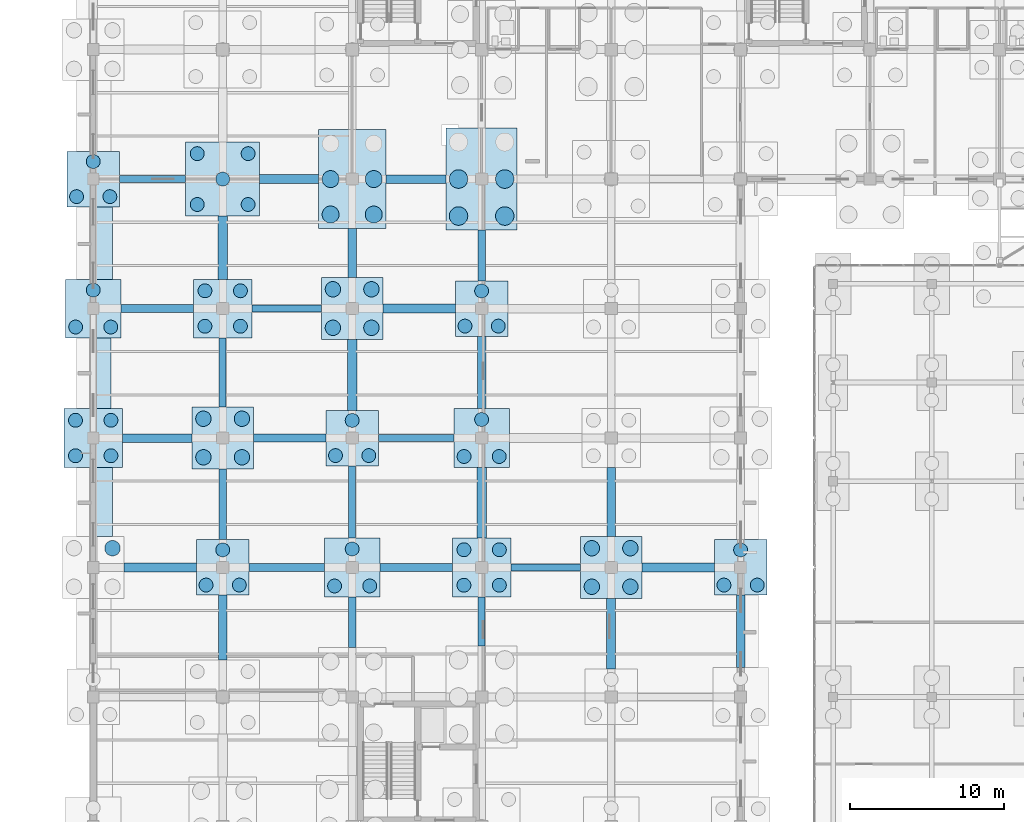
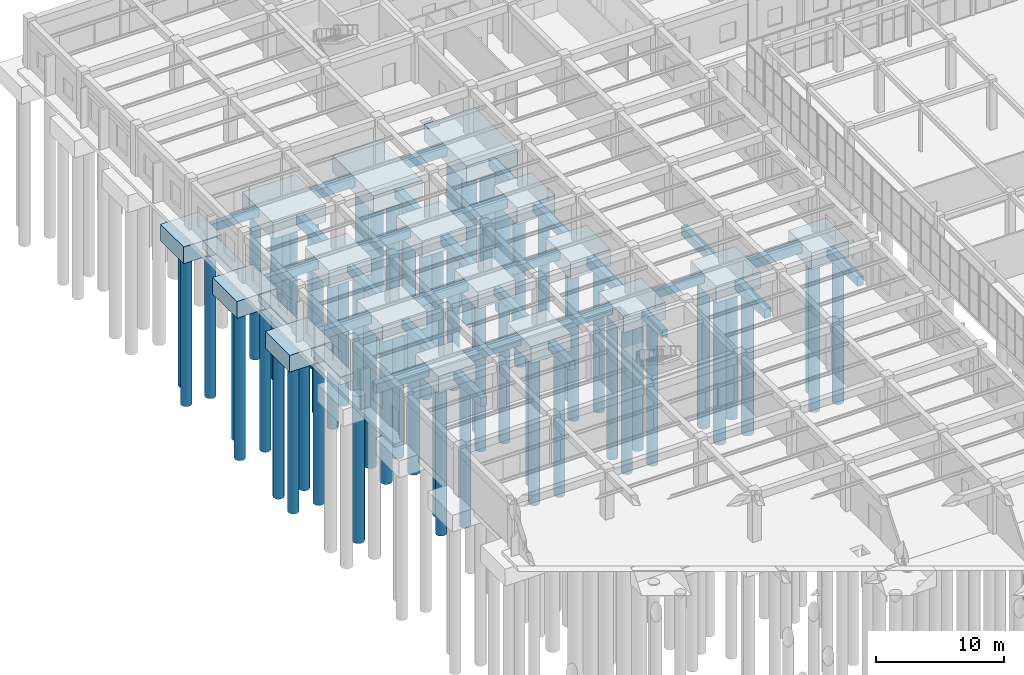
# One storey, part 7 of 192: 62 piles, 49 footings.
"""IFC4 building model written with IfcOpenShell, lengths in metres."""

import ifcopenshell
import ifcopenshell.guid

model = None  # the IFC model being written
_history = None  # IfcOwnerHistory: only IFC2X3 demands one
_inside = {}  # id of a spatial element -> (the spatial element, [elements in it])
_under = {}  # id of a project, library or spatial element -> (it, [spatial elements below it])
_declared = {}  # id of a project -> (the project, [libraries it declares])
_typed = {}  # id of a type object -> (the type object, [elements of that type])
_made_of = {}  # id of a material, layer set ... -> (it, [elements and type objects made of it])


def new_model(schema):
    """Start an empty IFC model of exactly this schema.

    Asked for "IFC4X3", IfcOpenShell would pick the latest addendum, in which some entities
    have other attributes; the version numbers below select the first issue.
    IFC2X3 requires an IfcOwnerHistory on every rooted entity: one is made here for all.
    """
    global model, _history
    if schema == "IFC4X3":
        model = ifcopenshell.file(schema_version=(4, 3, 0, 0))
    else:
        model = ifcopenshell.file(schema=schema)
    _inside.clear()
    _under.clear()
    _declared.clear()
    _typed.clear()
    _made_of.clear()
    _history = None
    if model.schema == "IFC2X3":
        org = make("IfcOrganization", Name="unknown")
        user = make(
            "IfcPersonAndOrganization",
            ThePerson=make("IfcPerson", FamilyName="unknown"),
            TheOrganization=org,
        )
        app = make(
            "IfcApplication",
            ApplicationDeveloper=org,
            Version="unknown",
            ApplicationFullName="unknown",
            ApplicationIdentifier="unknown",
        )
        _history = make(
            "IfcOwnerHistory",
            OwningUser=user,
            OwningApplication=app,
            ChangeAction="ADDED",
            CreationDate=0,
        )
    return model


def make(cls, **values):
    """One entity of the class cls with the attributes given. An attribute that is None is left unset."""
    return model.create_entity(
        cls, **{name: value for name, value in values.items() if value is not None}
    )


def rooted(cls, **values):
    """An entity with a GlobalId (a new one), such as an element, a storey or a relation."""
    return make(cls, GlobalId=ifcopenshell.guid.new(), OwnerHistory=_history, **values)


def si_unit(unit_type, name, prefix=None):
    """IfcSIUnit, for example si_unit("LENGTHUNIT", "METRE", prefix="MILLI")."""
    return make("IfcSIUnit", UnitType=unit_type, Prefix=prefix, Name=name)


def assignment(units):
    """IfcUnitAssignment: the units of a project."""
    return None if units is None else make("IfcUnitAssignment", Units=units)


def point(xyz):
    """IfcCartesianPoint."""
    return None if xyz is None else make("IfcCartesianPoint", Coordinates=xyz)


def direction(xyz):
    """IfcDirection."""
    return None if xyz is None else make("IfcDirection", DirectionRatios=xyz)


def frame(location, z_axis=None, x_axis=None):
    """IfcAxis2Placement3D, a coordinate frame: its origin and axes. An axis left out is left unset."""
    return make(
        "IfcAxis2Placement3D",
        Location=point(location),
        Axis=direction(z_axis),
        RefDirection=direction(x_axis),
    )


def frame_2d(location, x_axis=None):
    """IfcAxis2Placement2D, a coordinate frame in the plane: its origin and x axis."""
    return make(
        "IfcAxis2Placement2D", Location=point(location), RefDirection=direction(x_axis)
    )


def origin():
    """The frame at (0, 0, 0) with its axes left unset."""
    return frame((0.0, 0.0, 0.0))


def origin_2d():
    """The frame at (0, 0) in the plane with its x axis left unset."""
    return frame_2d((0.0, 0.0))


def place(relative_to, where):
    """IfcLocalPlacement: puts the frame where relative to a parent placement (None: the world)."""
    return make(
        "IfcLocalPlacement", PlacementRelTo=relative_to, RelativePlacement=where
    )


def context(
    kind, dimensions, precision=None, world=None, true_north=None, identifier=None
):
    """IfcGeometricRepresentationContext, for example the 3D "Model" context."""
    return make(
        "IfcGeometricRepresentationContext",
        ContextIdentifier=identifier,
        ContextType=kind,
        CoordinateSpaceDimension=dimensions,
        Precision=precision,
        WorldCoordinateSystem=world,
        TrueNorth=true_north,
    )


def subcontext(parent, identifier, kind, view, scale=None):
    """IfcGeometricRepresentationSubContext, for example "Body" below "Model"."""
    return make(
        "IfcGeometricRepresentationSubContext",
        ContextIdentifier=identifier,
        ContextType=kind,
        ParentContext=parent,
        TargetScale=scale,
        TargetView=view,
    )


def project(units=None, contexts=None):
    """IfcProject with its units and contexts."""
    return rooted(
        "IfcProject",
        Name="project",
        RepresentationContexts=contexts,
        UnitsInContext=assignment(units),
    )


def spatial(cls, under=None, at=None, **own):
    """A site, building, storey or space (cls), placed at a placement, below another one or the project."""
    s = rooted(cls, ObjectPlacement=at, **own)
    if under is not None:
        _under.setdefault(under.id(), (under, []))[1].append(s)
    return s


def profile(cls, at=None, kind="AREA", **sizes):
    """A parametric profile (cls). Its sizes go by their IFC names, for example OverallWidth=200.0."""
    return make(cls, ProfileType=kind, Position=at, **sizes)


def rectangle(**sizes):
    """IfcRectangleProfileDef."""
    return profile("IfcRectangleProfileDef", **sizes)


def circle(**sizes):
    """IfcCircleProfileDef."""
    return profile("IfcCircleProfileDef", **sizes)


def extrude(swept, where, along, depth):
    """IfcExtrudedAreaSolid: the profile swept, set in the frame where, extruded along a direction by depth."""
    return make(
        "IfcExtrudedAreaSolid",
        SweptArea=swept,
        Position=where,
        ExtrudedDirection=direction(along),
        Depth=depth,
    )


def shape(context_of_items, identifier, shape_type, items):
    """IfcShapeRepresentation: the items that make up one representation, for example the "Body"."""
    return make(
        "IfcShapeRepresentation",
        ContextOfItems=context_of_items,
        RepresentationIdentifier=identifier,
        RepresentationType=shape_type,
        Items=items,
    )


def material(Name=None, Category=None):
    """IfcMaterial."""
    return make("IfcMaterial", Name=Name, Category=Category)


def layer(
    of_material, thickness, ventilated=None, Name=None, Category=None, Priority=None
):
    """IfcMaterialLayer: one layer of a wall or slab, of a material (None: an air gap)."""
    return make(
        "IfcMaterialLayer",
        Material=of_material,
        LayerThickness=thickness,
        IsVentilated=ventilated,
        Name=Name,
        Category=Category,
        Priority=Priority,
    )


def layer_set(layers, Name=None):
    """IfcMaterialLayerSet."""
    return make("IfcMaterialLayerSet", MaterialLayers=layers, LayerSetName=Name)


def material_profile(
    of_material, cross_section, Name=None, Category=None, Priority=None
):
    """IfcMaterialProfile: a cross section and its material."""
    return make(
        "IfcMaterialProfile",
        Name=Name,
        Material=of_material,
        Profile=cross_section,
        Priority=Priority,
        Category=Category,
    )


def profile_set(profiles, Name=None, composite=None):
    """IfcMaterialProfileSet."""
    return make(
        "IfcMaterialProfileSet",
        Name=Name,
        MaterialProfiles=profiles,
        CompositeProfile=composite,
    )


def made_of(thing, what):
    """Note that an element or type object is made of a material, layer set ...; save() writes the relation."""
    if what is not None:
        _made_of.setdefault(what.id(), (what, []))[1].append(thing)
    return thing


def type_object(cls, material=None, **own):
    """A type object (cls), such as IfcWallType, which elements share."""
    return made_of(rooted(cls, **own), material)


def element(
    cls,
    number,
    at=None,
    inside=None,
    cuts=None,
    type_object=None,
    material=None,
    context=None,
    identifier="Body",
    shape_type=None,
    held_by="IfcProductDefinitionShape",
    body=None,
    shapes=None,
    **own,
):
    """One element of the class cls, such as IfcWall. Its Tag is "e" and its number.

    at: its placement. inside: the storey or other place that contains it. cuts: it is an
    opening in that element (IfcRelVoidsElement). A single representation is given by context,
    identifier, shape_type and body (its items); several are given by shapes. held_by: the class
    of the entity that holds the representations. save() writes the other relations.
    """
    e = rooted(cls, Tag="e%d" % number, ObjectPlacement=at, **own)
    if body is not None:
        shapes = [shape(context, identifier, shape_type, body)]
    if shapes is not None:
        e.Representation = make(held_by, Representations=shapes)
    if inside is not None:
        _inside.setdefault(inside.id(), (inside, []))[1].append(e)
    if cuts is not None:
        rooted(
            "IfcRelVoidsElement", RelatingBuildingElement=cuts, RelatedOpeningElement=e
        )
    if type_object is not None:
        _typed.setdefault(type_object.id(), (type_object, []))[1].append(e)
    return made_of(e, material)


def aggregate(whole, parts):
    """IfcRelAggregates: a whole, such as a stair, and the parts it consists of."""
    return rooted("IfcRelAggregates", RelatingObject=whole, RelatedObjects=parts)


def save(model, path):
    """Write the relations noted so far, then the file.

    IfcRelAggregates (storeys below a building ...), IfcRelContainedInSpatialStructure (elements
    in a storey), IfcRelDefinesByType, IfcRelAssociatesMaterial and IfcRelDeclares: one each for
    every whole, place, type object, material and project.
    """
    for whole, parts in _under.values():
        aggregate(whole, parts)
    for where, things in _inside.values():
        rooted(
            "IfcRelContainedInSpatialStructure",
            RelatedElements=things,
            RelatingStructure=where,
        )
    for kind, things in _typed.values():
        rooted("IfcRelDefinesByType", RelatedObjects=things, RelatingType=kind)
    for what, things in _made_of.values():
        rooted("IfcRelAssociatesMaterial", RelatedObjects=things, RelatingMaterial=what)
    for by, libraries in _declared.values():
        rooted("IfcRelDeclares", RelatingContext=by, RelatedDefinitions=libraries)
    model.write(path)


model = new_model("IFC4")

# Units and contexts
model_context = context("Model", 3, precision=1e-05, world=origin(), true_north=direction((0.0, 1.0)))
body_context = subcontext(model_context, "Body", "Model", "MODEL_VIEW")
ifc_project = project(units=[si_unit("LENGTHUNIT", "METRE"), si_unit("AREAUNIT", "SQUARE_METRE"), si_unit("VOLUMEUNIT", "CUBIC_METRE"), si_unit("PLANEANGLEUNIT", "RADIAN"), si_unit("MASSUNIT", "GRAM", prefix="KILO")], contexts=[model_context])

# Site, building, storey
site_placement = place(None, origin())
site = spatial("IfcSite", under=ifc_project, at=site_placement, CompositionType="ELEMENT")
building_placement = place(site_placement, origin())
building = spatial("IfcBuilding", under=site, at=building_placement, Name="Trelvath General Hospital", CompositionType="ELEMENT")
storey_placement = place(building_placement, origin())
storey = spatial("IfcBuildingStorey", under=building, at=storey_placement, Name="L00", CompositionType="ELEMENT", Elevation=0.0)

# Piles
ifc_material_1 = material(Name="Concrete C35/45", Category="concrete")
ifc_material_profile_1 = material_profile(ifc_material_1, circle(Radius=0.5, at=origin_2d()), Name="PILE1000")
ifc_profile_set_1 = profile_set([ifc_material_profile_1], Name="Concrete C35/45")
pile_type_1 = type_object("IfcPileType", Name="BoredPile D1000", PredefinedType="BORED", material=ifc_profile_set_1)
for number, where, z_axis, x_axis, name in (
    (1, (1.25, 68.449951171875, -1.800048828125), (0.0, 0.0, -1.0), (1.0, 0.0, 0.0), "Bored Pile P-0027"),
    (2, (7.14990234375, 74.35009765625, -1.800048828125), (0.0, 0.0, -1.0), (1.0, 0.0, 0.0), "Bored Pile P-0086"),
    (3, (9.64990234375, 74.35009765625, -1.800048828125), (0.0, 0.0, -1.0), (1.0, 0.0, 0.0), "Bored Pile P-0087"),
    (4, (7.14990234375, 76.85009765625, -1.800048828125), (0.0, 0.0, -1.0), (1.0, 0.0, 0.0), "Bored Pile P-0088"),
    (5, (9.64990234375, 76.85009765625, -1.800048828125), (0.0, 0.0, -1.0), (1.0, 0.0, 0.0), "Bored Pile P-0089"),
    (6, (15.550048828125, 82.75, -1.800048828125), (0.0, 0.0, -1.0), (1.0, 0.0, 0.0), "Bored Pile P-0153"),
    (7, (18.050048828125, 82.75, -1.800048828125), (0.0, 0.0, -1.0), (1.0, 0.0, 0.0), "Bored Pile P-0154"),
    (8, (15.550048828125, 85.25, -1.800048828125), (0.0, 0.0, -1.0), (1.0, 0.0, 0.0), "Bored Pile P-0155"),
    (9, (18.050048828125, 85.25, -1.800048828125), (0.0, 0.0, -1.0), (1.0, 0.0, 0.0), "Bored Pile P-0156"),
    (10, (32.35009765625, 65.949951171875, -1.800048828125), (0.0, 0.0, -1.0), (1.0, 0.0, 0.0), "Bored Pile P-0270"),
    (11, (34.85009765625, 65.949951171875, -1.800048828125), (0.0, 0.0, -1.0), (1.0, 0.0, 0.0), "Bored Pile P-0271"),
    (12, (32.35009765625, 68.449951171875, -1.800048828125), (0.0, 0.0, -1.0), (1.0, 0.0, 0.0), "Bored Pile P-0272"),
    (13, (34.85009765625, 68.449951171875, -1.800048828125), (0.0, 0.0, -1.0), (1.0, 0.0, 0.0), "Bored Pile P-0273"),
):
    element("IfcPile", number, at=place(storey_placement, frame(where, z_axis=z_axis, x_axis=x_axis)), inside=storey, type_object=pile_type_1, Name=name, PredefinedType="BORED", context=body_context, shape_type="SweptSolid", body=[
        extrude(circle(Radius=0.5, at=origin_2d()), origin(), (0.0, 0.0, 1.0), 14.0),
    ])
ifc_material_2 = material(Name="Concrete C35/45", Category="concrete")
ifc_material_profile_2 = material_profile(ifc_material_2, circle(Radius=0.550048828125, at=origin_2d()), Name="PILE1100")
ifc_profile_set_2 = profile_set([ifc_material_profile_2], Name="Concrete C35/45")
pile_type_2 = type_object("IfcPileType", Name="BoredPile D1100", PredefinedType="BORED", material=ifc_profile_set_2)
for number, where, z_axis, x_axis, name in (
    (14, (15.39990234375, 90.10009765625, -1.800048828125), (0.0, 0.0, -1.0), (1.0, 0.0, 0.0), "Bored Pile P-0157"),
    (15, (18.199951171875, 90.10009765625, -1.800048828125), (0.0, 0.0, -1.0), (1.0, 0.0, 0.0), "Bored Pile P-0158"),
    (16, (15.39990234375, 92.39990234375, -1.800048828125), (0.0, 0.0, -1.0), (1.0, 0.0, 0.0), "Bored Pile P-0159"),
    (17, (18.199951171875, 92.39990234375, -1.800048828125), (0.0, 0.0, -1.0), (1.0, 0.0, 0.0), "Bored Pile P-0160"),
):
    element("IfcPile", number, at=place(storey_placement, frame(where, z_axis=z_axis, x_axis=x_axis)), inside=storey, type_object=pile_type_2, Name=name, PredefinedType="BORED", context=body_context, shape_type="SweptSolid", body=[
        extrude(circle(Radius=0.550048828125, at=origin_2d()), origin(), (0.0, 0.0, 1.0), 14.0),
    ])
ifc_material_3 = material(Name="Concrete C35/45", Category="concrete")
ifc_material_profile_3 = material_profile(ifc_material_3, circle(Radius=0.60009765625, at=origin_2d()), Name="PILE1200")
ifc_profile_set_3 = profile_set([ifc_material_profile_3], Name="Concrete C35/45")
pile_type_3 = type_object("IfcPileType", Name="BoredPile D1200", PredefinedType="BORED", material=ifc_profile_set_3)
for number, where, z_axis, x_axis, name in (
    (18, (23.699951171875, 90.0, -1.800048828125), (0.0, 0.0, -1.0), (1.0, 0.0, 0.0), "Bored Pile P-0219"),
    (19, (26.699951171875, 90.0, -1.800048828125), (0.0, 0.0, -1.0), (1.0, 0.0, 0.0), "Bored Pile P-0220"),
    (20, (23.699951171875, 92.39990234375, -1.800048828125), (0.0, 0.0, -1.0), (1.0, 0.0, 0.0), "Bored Pile P-0221"),
    (21, (26.699951171875, 92.39990234375, -1.800048828125), (0.0, 0.0, -1.0), (1.0, 0.0, 0.0), "Bored Pile P-0222"),
):
    element("IfcPile", number, at=place(storey_placement, frame(where, z_axis=z_axis, x_axis=x_axis)), inside=storey, type_object=pile_type_3, Name=name, PredefinedType="BORED", context=body_context, shape_type="SweptSolid", body=[
        extrude(circle(Radius=0.60009765625, at=origin_2d()), origin(), (0.0, 0.0, 1.0), 14.0),
    ])
ifc_material_4 = material(Name="Concrete C35/45", Category="concrete")
ifc_material_profile_4 = material_profile(ifc_material_4, circle(Radius=0.449951171875, at=origin_2d()), Name="PILE900")
ifc_profile_set_4 = profile_set([ifc_material_profile_4], Name="Concrete C35/45")
pile_type_4 = type_object("IfcPileType", Name="BoredPile D900", PredefinedType="BORED", material=ifc_profile_set_4)
for number, where, z_axis, x_axis, name in (
    (22, (-1.14990234375, 74.449951171875, -1.800048828125), (0.0, 0.0, -1.0), (1.0, 0.0, 0.0), "Bored Pile P-0028"),
    (23, (1.14990234375, 74.449951171875, -1.800048828125), (0.0, 0.0, -1.0), (1.0, 0.0, 0.0), "Bored Pile P-0029"),
    (24, (-1.14990234375, 76.75, -1.800048828125), (0.0, 0.0, -1.0), (1.0, 0.0, 0.0), "Bored Pile P-0030"),
    (25, (1.14990234375, 76.75, -1.800048828125), (0.0, 0.0, -1.0), (1.0, 0.0, 0.0), "Bored Pile P-0031"),
    (26, (-1.139892578125, 82.800048828125, -1.800048828125), (0.0, 0.0, -1.0), (1.0, 0.0, 0.0), "Bored Pile P-0032"),
    (27, (1.139892578125, 82.800048828125, -1.800048828125), (0.0, 0.0, -1.0), (1.0, 0.0, 0.0), "Bored Pile P-0033"),
    (28, (0.0, 85.199951171875, -1.800048828125), (0.0, 0.0, -1.0), (1.0, 0.0, 0.0), "Bored Pile P-0034"),
    (29, (-1.080078125, 91.260009765625, -1.800048828125), (0.0, 0.0, -1.0), (1.0, 0.0, 0.0), "Bored Pile P-0035"),
    (30, (1.080078125, 91.260009765625, -1.800048828125), (0.0, 0.0, -1.0), (1.0, 0.0, 0.0), "Bored Pile P-0036"),
    (31, (0.0, 93.5400390625, -1.800048828125), (0.0, 0.0, -1.0), (1.0, 0.0, 0.0), "Bored Pile P-0037"),
    (32, (7.320068359375, 66.06005859375, -1.800048828125), (0.0, 0.0, -1.0), (1.0, 0.0, 0.0), "Bored Pile P-0083"),
    (33, (9.47998046875, 66.06005859375, -1.800048828125), (0.0, 0.0, -1.0), (1.0, 0.0, 0.0), "Bored Pile P-0084"),
    (34, (8.39990234375, 68.340087890625, -1.800048828125), (0.0, 0.0, -1.0), (1.0, 0.0, 0.0), "Bored Pile P-0085"),
    (35, (7.25, 82.85009765625, -1.800048828125), (0.0, 0.0, -1.0), (1.0, 0.0, 0.0), "Bored Pile P-0090"),
    (36, (9.550048828125, 82.85009765625, -1.800048828125), (0.0, 0.0, -1.0), (1.0, 0.0, 0.0), "Bored Pile P-0091"),
    (37, (7.25, 85.14990234375, -1.800048828125), (0.0, 0.0, -1.0), (1.0, 0.0, 0.0), "Bored Pile P-0092"),
    (38, (9.550048828125, 85.14990234375, -1.800048828125), (0.0, 0.0, -1.0), (1.0, 0.0, 0.0), "Bored Pile P-0093"),
    (39, (6.75, 90.75, -1.800048828125), (0.0, 0.0, -1.0), (1.0, 0.0, 0.0), "Bored Pile P-0094"),
    (40, (10.050048828125, 90.75, -1.800048828125), (0.0, 0.0, -1.0), (1.0, 0.0, 0.0), "Bored Pile P-0095"),
    (41, (8.39990234375, 92.39990234375, -1.800048828125), (0.0, 0.0, -1.0), (1.0, 0.0, 0.0), "Bored Pile P-0096"),
    (42, (6.75, 94.050048828125, -1.800048828125), (0.0, 0.0, -1.0), (1.0, 0.0, 0.0), "Bored Pile P-0097"),
    (43, (10.050048828125, 94.050048828125, -1.800048828125), (0.0, 0.0, -1.0), (1.0, 0.0, 0.0), "Bored Pile P-0098"),
    (44, (15.659912109375, 66.0, -1.800048828125), (0.0, 0.0, -1.0), (1.0, 0.0, 0.0), "Bored Pile P-0147"),
    (45, (17.93994140625, 66.0, -1.800048828125), (0.0, 0.0, -1.0), (1.0, 0.0, 0.0), "Bored Pile P-0148"),
    (46, (16.800048828125, 68.39990234375, -1.800048828125), (0.0, 0.0, -1.0), (1.0, 0.0, 0.0), "Bored Pile P-0149"),
    (47, (15.719970703125, 74.4599609375, -1.800048828125), (0.0, 0.0, -1.0), (1.0, 0.0, 0.0), "Bored Pile P-0150"),
    (48, (17.8798828125, 74.4599609375, -1.800048828125), (0.0, 0.0, -1.0), (1.0, 0.0, 0.0), "Bored Pile P-0151"),
    (49, (16.800048828125, 76.739990234375, -1.800048828125), (0.0, 0.0, -1.0), (1.0, 0.0, 0.0), "Bored Pile P-0152"),
    (50, (24.050048828125, 66.050048828125, -1.800048828125), (0.0, 0.0, -1.0), (1.0, 0.0, 0.0), "Bored Pile P-0209"),
    (51, (26.35009765625, 66.050048828125, -1.800048828125), (0.0, 0.0, -1.0), (1.0, 0.0, 0.0), "Bored Pile P-0210"),
    (52, (24.050048828125, 68.35009765625, -1.800048828125), (0.0, 0.0, -1.0), (1.0, 0.0, 0.0), "Bored Pile P-0211"),
    (53, (26.35009765625, 68.35009765625, -1.800048828125), (0.0, 0.0, -1.0), (1.0, 0.0, 0.0), "Bored Pile P-0212"),
    (54, (24.06005859375, 74.39990234375, -1.800048828125), (0.0, 0.0, -1.0), (1.0, 0.0, 0.0), "Bored Pile P-0213"),
    (55, (26.340087890625, 74.39990234375, -1.800048828125), (0.0, 0.0, -1.0), (1.0, 0.0, 0.0), "Bored Pile P-0214"),
    (56, (25.199951171875, 76.800048828125, -1.800048828125), (0.0, 0.0, -1.0), (1.0, 0.0, 0.0), "Bored Pile P-0215"),
    (57, (24.1201171875, 82.860107421875, -1.800048828125), (0.0, 0.0, -1.0), (1.0, 0.0, 0.0), "Bored Pile P-0216"),
    (58, (26.280029296875, 82.860107421875, -1.800048828125), (0.0, 0.0, -1.0), (1.0, 0.0, 0.0), "Bored Pile P-0217"),
    (59, (25.199951171875, 85.139892578125, -1.800048828125), (0.0, 0.0, -1.0), (1.0, 0.0, 0.0), "Bored Pile P-0218"),
    (60, (40.919921875, 66.06005859375, -1.800048828125), (0.0, 0.0, -1.0), (1.0, 0.0, 0.0), "Bored Pile P-0335"),
    (61, (43.080078125, 66.06005859375, -1.800048828125), (0.0, 0.0, -1.0), (1.0, 0.0, 0.0), "Bored Pile P-0336"),
    (62, (42.0, 68.340087890625, -1.800048828125), (0.0, 0.0, -1.0), (1.0, 0.0, 0.0), "Bored Pile P-0337"),
):
    element("IfcPile", number, at=place(storey_placement, frame(where, z_axis=z_axis, x_axis=x_axis)), inside=storey, type_object=pile_type_4, Name=name, PredefinedType="BORED", context=body_context, shape_type="SweptSolid", body=[
        extrude(circle(Radius=0.449951171875, at=origin_2d()), origin(), (0.0, 0.0, 1.0), 14.0),
    ])

# Footings
ifc_material_5 = material(Name="Concrete C35/45", Category="concrete")
ifc_layer_1 = layer(ifc_material_5, 1.60009765625)
ifc_layer_set_1 = layer_set([ifc_layer_1], Name="Concrete C35/45")
footing_type_1 = type_object("IfcFootingType", Name="PileCap 3P 340x360", PredefinedType="PILE_CAP", material=ifc_layer_set_1)
for number, where, z_axis, x_axis, name in (
    (63, (0.0, 92.39990234375, -1.900146484375), (0.0, 0.0, 1.0), (1.0, 0.0, 0.0), "Pile Cap PC-012"),
    (64, (8.39990234375, 67.199951171875, -1.900146484375), (0.0, 0.0, 1.0), (1.0, 0.0, 0.0), "Pile Cap PC-024"),
    (65, (16.800048828125, 75.60009765625, -1.900146484375), (0.0, 0.0, 1.0), (1.0, 0.0, 0.0), "Pile Cap PC-040"),
    (66, (25.199951171875, 84.0, -1.900146484375), (0.0, 0.0, 1.0), (1.0, 0.0, 0.0), "Pile Cap PC-056"),
    (67, (42.0, 67.199951171875, -1.900146484375), (0.0, 0.0, 1.0), (1.0, 0.0, 0.0), "Pile Cap PC-084"),
):
    element("IfcFooting", number, at=place(storey_placement, frame(where, z_axis=z_axis, x_axis=x_axis)), inside=storey, type_object=footing_type_1, Name=name, PredefinedType="PILE_CAP", context=body_context, shape_type="SweptSolid", body=[
        extrude(rectangle(XDim=3.39990234375, YDim=3.60009765625, at=origin_2d()), origin(), (0.0, 0.0, 1.0), 1.60009765625),
    ])
ifc_material_6 = material(Name="Concrete C35/45", Category="concrete")
ifc_layer_2 = layer(ifc_material_6, 1.60009765625)
ifc_layer_set_2 = layer_set([ifc_layer_2], Name="Concrete C35/45")
footing_type_2 = type_object("IfcFootingType", Name="PileCap 3P 360x380", PredefinedType="PILE_CAP", material=ifc_layer_set_2)
for number, where, z_axis, x_axis, name in (
    (68, (0.0, 84.0, -1.900146484375), (0.0, 0.0, 1.0), (1.0, 0.0, 0.0), "Pile Cap PC-011"),
    (69, (16.800048828125, 67.199951171875, -1.900146484375), (0.0, 0.0, 1.0), (1.0, 0.0, 0.0), "Pile Cap PC-039"),
    (70, (25.199951171875, 75.60009765625, -1.900146484375), (0.0, 0.0, 1.0), (1.0, 0.0, 0.0), "Pile Cap PC-055"),
):
    element("IfcFooting", number, at=place(storey_placement, frame(where, z_axis=z_axis, x_axis=x_axis)), inside=storey, type_object=footing_type_2, Name=name, PredefinedType="PILE_CAP", context=body_context, shape_type="SweptSolid", body=[
        extrude(rectangle(XDim=3.60009765625, YDim=3.800048828125, at=origin_2d()), origin(), (0.0, 0.0, 1.0), 1.60009765625),
    ])
ifc_material_7 = material(Name="Concrete C35/45", Category="concrete")
ifc_layer_3 = layer(ifc_material_7, 1.60009765625)
ifc_layer_set_3 = layer_set([ifc_layer_3], Name="Concrete C35/45")
footing_type_3 = type_object("IfcFootingType", Name="PileCap 4P 380x380", PredefinedType="PILE_CAP", material=ifc_layer_set_3)
for number, where, z_axis, x_axis, name in (
    (71, (0.0, 75.60009765625, -1.900146484375), (0.0, 0.0, 1.0), (1.0, 0.0, 0.0), "Pile Cap PC-010"),
    (72, (8.39990234375, 84.0, -1.900146484375), (0.0, 0.0, 1.0), (1.0, 0.0, 0.0), "Pile Cap PC-026"),
    (73, (25.199951171875, 67.199951171875, -1.900146484375), (0.0, 0.0, 1.0), (1.0, 0.0, 0.0), "Pile Cap PC-054"),
):
    element("IfcFooting", number, at=place(storey_placement, frame(where, z_axis=z_axis, x_axis=x_axis)), inside=storey, type_object=footing_type_3, Name=name, PredefinedType="PILE_CAP", context=body_context, shape_type="SweptSolid", body=[
        extrude(rectangle(XDim=3.800048828125, YDim=3.800048828125, at=origin_2d()), origin(), (0.0, 0.0, 1.0), 1.60009765625),
    ])
ifc_material_8 = material(Name="Concrete C35/45", Category="concrete")
ifc_layer_4 = layer(ifc_material_8, 1.60009765625)
ifc_layer_set_4 = layer_set([ifc_layer_4], Name="Concrete C35/45")
footing_type_4 = type_object("IfcFootingType", Name="PileCap 4P 400x400", PredefinedType="PILE_CAP", material=ifc_layer_set_4)
for number, where, z_axis, x_axis, name in (
    (74, (8.39990234375, 75.60009765625, -1.900146484375), (0.0, 0.0, 1.0), (1.0, 0.0, 0.0), "Pile Cap PC-025"),
    (75, (16.800048828125, 84.0, -1.900146484375), (0.0, 0.0, 1.0), (1.0, 0.0, 0.0), "Pile Cap PC-041"),
    (76, (33.60009765625, 67.199951171875, -1.900146484375), (0.0, 0.0, 1.0), (1.0, 0.0, 0.0), "Pile Cap PC-069"),
):
    element("IfcFooting", number, at=place(storey_placement, frame(where, z_axis=z_axis, x_axis=x_axis)), inside=storey, type_object=footing_type_4, Name=name, PredefinedType="PILE_CAP", context=body_context, shape_type="SweptSolid", body=[
        extrude(rectangle(XDim=4.0, YDim=4.0, at=origin_2d()), origin(), (0.0, 0.0, 1.0), 1.60009765625),
    ])
ifc_material_9 = material(Name="Concrete C35/45", Category="concrete")
ifc_layer_5 = layer(ifc_material_9, 1.60009765625)
ifc_layer_set_5 = layer_set([ifc_layer_5], Name="Concrete C35/45")
footing_type_5 = type_object("IfcFootingType", Name="PileCap 5P 480x480", PredefinedType="PILE_CAP", material=ifc_layer_set_5)
footing_1_placement = place(storey_placement, frame((8.39990234375, 92.39990234375, -1.900146484375), z_axis=(0.0, 0.0, 1.0), x_axis=(1.0, 0.0, 0.0)))
element("IfcFooting", 77, at=footing_1_placement, inside=storey, type_object=footing_type_5, Name="Pile Cap PC-027", PredefinedType="PILE_CAP", context=body_context, shape_type="SweptSolid", body=[
    extrude(rectangle(XDim=4.800048828125, YDim=4.800048828125, at=origin_2d()), origin(), (0.0, 0.0, 1.0), 1.60009765625),
])
ifc_material_10 = material(Name="Concrete C35/45", Category="concrete")
ifc_layer_6 = layer(ifc_material_10, 1.60009765625)
ifc_layer_set_6 = layer_set([ifc_layer_6], Name="Concrete C35/45")
footing_type_6 = type_object("IfcFootingType", Name="PileCap 6P 440x640", PredefinedType="PILE_CAP", material=ifc_layer_set_6)
footing_2_placement = place(storey_placement, frame((16.800048828125, 92.39990234375, -1.900146484375), z_axis=(0.0, 0.0, 1.0), x_axis=(1.0, 0.0, 0.0)))
element("IfcFooting", 78, at=footing_2_placement, inside=storey, type_object=footing_type_6, Name="Pile Cap PC-042", PredefinedType="PILE_CAP", context=body_context, shape_type="SweptSolid", body=[
    extrude(rectangle(XDim=4.39990234375, YDim=6.39990234375, at=origin_2d()), origin(), (0.0, 0.0, 1.0), 1.60009765625),
])
ifc_material_11 = material(Name="Concrete C35/45", Category="concrete")
ifc_layer_7 = layer(ifc_material_11, 1.60009765625)
ifc_layer_set_7 = layer_set([ifc_layer_7], Name="Concrete C35/45")
footing_type_7 = type_object("IfcFootingType", Name="PileCap 6P 460x660", PredefinedType="PILE_CAP", material=ifc_layer_set_7)
footing_3_placement = place(storey_placement, frame((25.199951171875, 92.39990234375, -1.900146484375), z_axis=(0.0, 0.0, 1.0), x_axis=(1.0, 0.0, 0.0)))
element("IfcFooting", 79, at=footing_3_placement, inside=storey, type_object=footing_type_7, Name="Pile Cap PC-057", PredefinedType="PILE_CAP", context=body_context, shape_type="SweptSolid", body=[
    extrude(rectangle(XDim=4.60009765625, YDim=6.60009765625, at=origin_2d()), origin(), (0.0, 0.0, 1.0), 1.60009765625),
])
ifc_material_12 = material(Name="Concrete C35/45", Category="concrete")
ifc_layer_8 = layer(ifc_material_12, 0.64990234375)
ifc_layer_set_8 = layer_set([ifc_layer_8], Name="Concrete C35/45")
footing_type_8 = type_object("IfcFootingType", Name="StripFooting 1000x650", PredefinedType="STRIP_FOOTING", material=ifc_layer_set_8)
footing_4_placement = place(storey_placement, frame((0.64990234375, 79.800048828125, -1.010009765625), z_axis=(0.0, 0.0, 1.0), x_axis=(1.0, 0.0, 0.0)))
element("IfcFooting", 80, at=footing_4_placement, inside=storey, type_object=footing_type_8, Name="Radiation Wall Strip Footing SF-06", PredefinedType="STRIP_FOOTING", context=body_context, shape_type="SweptSolid", body=[
    extrude(rectangle(XDim=1.0, YDim=4.60009765625, at=origin_2d()), origin(), (0.0, 0.0, 1.0), 0.64990234375),
])
ifc_material_13 = material(Name="Concrete C35/45", Category="concrete")
ifc_layer_9 = layer(ifc_material_13, 0.699951171875)
ifc_layer_set_9 = layer_set([ifc_layer_9], Name="Concrete C35/45")
footing_type_9 = type_object("IfcFootingType", Name="StripFooting 1200x700", PredefinedType="STRIP_FOOTING", material=ifc_layer_set_9)
footing_5_placement = place(storey_placement, frame((0.64990234375, 71.449951171875, -1.06005859375), z_axis=(0.0, 0.0, 1.0), x_axis=(1.0, 0.0, 0.0)))
element("IfcFooting", 81, at=footing_5_placement, inside=storey, type_object=footing_type_9, Name="Radiation Wall Strip Footing SF-05", PredefinedType="STRIP_FOOTING", context=body_context, shape_type="SweptSolid", body=[
    extrude(rectangle(XDim=1.199951171875, YDim=4.5, at=origin_2d()), origin(), (0.0, 0.0, 1.0), 0.699951171875),
])
footing_6_placement = place(storey_placement, frame((0.64990234375, 88.25, -1.06005859375), z_axis=(0.0, 0.0, 1.0), x_axis=(1.0, 0.0, 0.0)))
element("IfcFooting", 82, at=footing_6_placement, inside=storey, type_object=footing_type_9, Name="Radiation Wall Strip Footing SF-07", PredefinedType="STRIP_FOOTING", context=body_context, shape_type="SweptSolid", body=[
    extrude(rectangle(XDim=1.199951171875, YDim=4.699951171875, at=origin_2d()), origin(), (0.0, 0.0, 1.0), 0.699951171875),
])
ifc_material_14 = material(Name="Concrete C35/45", Category="concrete")
ifc_layer_10 = layer(ifc_material_14, 0.75)
ifc_layer_set_10 = layer_set([ifc_layer_10], Name="Concrete C35/45")
footing_type_10 = type_object("IfcFootingType", Name="TieBeam 450x750", PredefinedType="FOOTING_BEAM", material=ifc_layer_set_10)
footing_7_placement = place(storey_placement, frame((3.85009765625, 92.39990234375, -1.050048828125), z_axis=(0.0, 0.0, 1.0), x_axis=(1.0, 0.0, 0.0)))
element("IfcFooting", 83, at=footing_7_placement, inside=storey, type_object=footing_type_10, Name="Foundation Tie Beam TB-009", PredefinedType="FOOTING_BEAM", context=body_context, shape_type="SweptSolid", body=[
    extrude(rectangle(XDim=4.300048828125, YDim=0.449951171875, at=origin_2d()), origin(), (0.0, 0.0, 1.0), 0.75),
])
footing_8_placement = place(storey_placement, frame((8.39990234375, 79.85009765625, -1.050048828125), z_axis=(0.0, 0.0, 1.0), x_axis=(1.0, 0.0, 0.0)))
element("IfcFooting", 84, at=footing_8_placement, inside=storey, type_object=footing_type_10, Name="Foundation Tie Beam TB-033", PredefinedType="FOOTING_BEAM", context=body_context, shape_type="SweptSolid", body=[
    extrude(rectangle(XDim=0.449951171875, YDim=4.5, at=origin_2d()), origin(), (0.0, 0.0, 1.0), 0.75),
])
footing_9_placement = place(storey_placement, frame((12.550048828125, 84.0, -1.050048828125), z_axis=(0.0, 0.0, 1.0), x_axis=(1.0, 0.0, 0.0)))
element("IfcFooting", 85, at=footing_9_placement, inside=storey, type_object=footing_type_10, Name="Foundation Tie Beam TB-034", PredefinedType="FOOTING_BEAM", context=body_context, shape_type="SweptSolid", body=[
    extrude(rectangle(XDim=4.5, YDim=0.449951171875, at=origin_2d()), origin(), (0.0, 0.0, 1.0), 0.75),
])
footing_10_placement = place(storey_placement, frame((16.800048828125, 71.449951171875, -1.050048828125), z_axis=(0.0, 0.0, 1.0), x_axis=(1.0, 0.0, 0.0)))
element("IfcFooting", 86, at=footing_10_placement, inside=storey, type_object=footing_type_10, Name="Foundation Tie Beam TB-057", PredefinedType="FOOTING_BEAM", context=body_context, shape_type="SweptSolid", body=[
    extrude(rectangle(XDim=0.449951171875, YDim=4.699951171875, at=origin_2d()), origin(), (0.0, 0.0, 1.0), 0.75),
])
footing_11_placement = place(storey_placement, frame((20.949951171875, 75.60009765625, -1.050048828125), z_axis=(0.0, 0.0, 1.0), x_axis=(1.0, 0.0, 0.0)))
element("IfcFooting", 87, at=footing_11_placement, inside=storey, type_object=footing_type_10, Name="Foundation Tie Beam TB-058", PredefinedType="FOOTING_BEAM", context=body_context, shape_type="SweptSolid", body=[
    extrude(rectangle(XDim=4.89990234375, YDim=0.449951171875, at=origin_2d()), origin(), (0.0, 0.0, 1.0), 0.75),
])
footing_12_placement = place(storey_placement, frame((25.199951171875, 63.699951171875, -1.050048828125), z_axis=(0.0, 0.0, 1.0), x_axis=(1.0, 0.0, 0.0)))
element("IfcFooting", 88, at=footing_12_placement, inside=storey, type_object=footing_type_10, Name="Foundation Tie Beam TB-081", PredefinedType="FOOTING_BEAM", context=body_context, shape_type="SweptSolid", body=[
    extrude(rectangle(XDim=0.449951171875, YDim=3.199951171875, at=origin_2d()), origin(), (0.0, 0.0, 1.0), 0.75),
])
footing_13_placement = place(storey_placement, frame((29.35009765625, 67.199951171875, -1.050048828125), z_axis=(0.0, 0.0, 1.0), x_axis=(1.0, 0.0, 0.0)))
element("IfcFooting", 89, at=footing_13_placement, inside=storey, type_object=footing_type_10, Name="Foundation Tie Beam TB-082", PredefinedType="FOOTING_BEAM", context=body_context, shape_type="SweptSolid", body=[
    extrude(rectangle(XDim=4.5, YDim=0.449951171875, at=origin_2d()), origin(), (0.0, 0.0, 1.0), 0.75),
])
ifc_material_15 = material(Name="Concrete C35/45", Category="concrete")
ifc_layer_11 = layer(ifc_material_15, 0.800048828125)
ifc_layer_set_11 = layer_set([ifc_layer_11], Name="Concrete C35/45")
footing_type_11 = type_object("IfcFootingType", Name="TieBeam 500x800", PredefinedType="FOOTING_BEAM", material=ifc_layer_set_11)
footing_14_placement = place(storey_placement, frame((4.14990234375, 84.0, -1.10009765625), z_axis=(0.0, 0.0, 1.0), x_axis=(1.0, 0.0, 0.0)))
element("IfcFooting", 90, at=footing_14_placement, inside=storey, type_object=footing_type_11, Name="Foundation Tie Beam TB-008", PredefinedType="FOOTING_BEAM", context=body_context, shape_type="SweptSolid", body=[
    extrude(rectangle(XDim=4.699951171875, YDim=0.5, at=origin_2d()), origin(), (0.0, 0.0, 1.0), 0.800048828125),
])
footing_15_placement = place(storey_placement, frame((8.39990234375, 71.300048828125, -1.10009765625), z_axis=(0.0, 0.0, 1.0), x_axis=(1.0, 0.0, 0.0)))
element("IfcFooting", 91, at=footing_15_placement, inside=storey, type_object=footing_type_11, Name="Foundation Tie Beam TB-031", PredefinedType="FOOTING_BEAM", context=body_context, shape_type="SweptSolid", body=[
    extrude(rectangle(XDim=0.5, YDim=4.60009765625, at=origin_2d()), origin(), (0.0, 0.0, 1.0), 0.800048828125),
])
footing_16_placement = place(storey_placement, frame((12.75, 75.60009765625, -1.10009765625), z_axis=(0.0, 0.0, 1.0), x_axis=(1.0, 0.0, 0.0)))
element("IfcFooting", 92, at=footing_16_placement, inside=storey, type_object=footing_type_11, Name="Foundation Tie Beam TB-032", PredefinedType="FOOTING_BEAM", context=body_context, shape_type="SweptSolid", body=[
    extrude(rectangle(XDim=4.699951171875, YDim=0.5, at=origin_2d()), origin(), (0.0, 0.0, 1.0), 0.800048828125),
])
footing_17_placement = place(storey_placement, frame((16.800048828125, 63.64990234375, -1.10009765625), z_axis=(0.0, 0.0, 1.0), x_axis=(1.0, 0.0, 0.0)))
element("IfcFooting", 93, at=footing_17_placement, inside=storey, type_object=footing_type_11, Name="Foundation Tie Beam TB-055", PredefinedType="FOOTING_BEAM", context=body_context, shape_type="SweptSolid", body=[
    extrude(rectangle(XDim=0.5, YDim=3.300048828125, at=origin_2d()), origin(), (0.0, 0.0, 1.0), 0.800048828125),
])
footing_18_placement = place(storey_placement, frame((20.949951171875, 67.199951171875, -1.10009765625), z_axis=(0.0, 0.0, 1.0), x_axis=(1.0, 0.0, 0.0)))
element("IfcFooting", 94, at=footing_18_placement, inside=storey, type_object=footing_type_11, Name="Foundation Tie Beam TB-056", PredefinedType="FOOTING_BEAM", context=body_context, shape_type="SweptSolid", body=[
    extrude(rectangle(XDim=4.699951171875, YDim=0.5, at=origin_2d()), origin(), (0.0, 0.0, 1.0), 0.800048828125),
])
footing_19_placement = place(storey_placement, frame((25.199951171875, 87.449951171875, -1.10009765625), z_axis=(0.0, 0.0, 1.0), x_axis=(1.0, 0.0, 0.0)))
element("IfcFooting", 95, at=footing_19_placement, inside=storey, type_object=footing_type_11, Name="Foundation Tie Beam TB-087", PredefinedType="FOOTING_BEAM", context=body_context, shape_type="SweptSolid", body=[
    extrude(rectangle(XDim=0.5, YDim=3.300048828125, at=origin_2d()), origin(), (0.0, 0.0, 1.0), 0.800048828125),
])
ifc_material_16 = material(Name="Concrete C35/45", Category="concrete")
ifc_layer_12 = layer(ifc_material_16, 0.85009765625)
ifc_layer_set_12 = layer_set([ifc_layer_12], Name="Concrete C35/45")
footing_type_12 = type_object("IfcFootingType", Name="TieBeam 550x850", PredefinedType="FOOTING_BEAM", material=ifc_layer_set_12)
footing_20_placement = place(storey_placement, frame((4.14990234375, 75.60009765625, -1.150146484375), z_axis=(0.0, 0.0, 1.0), x_axis=(1.0, 0.0, 0.0)))
element("IfcFooting", 96, at=footing_20_placement, inside=storey, type_object=footing_type_12, Name="Foundation Tie Beam TB-007", PredefinedType="FOOTING_BEAM", context=body_context, shape_type="SweptSolid", body=[
    extrude(rectangle(XDim=4.5, YDim=0.550048828125, at=origin_2d()), origin(), (0.0, 0.0, 1.0), 0.85009765625),
])
footing_21_placement = place(storey_placement, frame((8.39990234375, 63.300048828125, -1.150146484375), z_axis=(0.0, 0.0, 1.0), x_axis=(1.0, 0.0, 0.0)))
element("IfcFooting", 97, at=footing_21_placement, inside=storey, type_object=footing_type_12, Name="Foundation Tie Beam TB-029", PredefinedType="FOOTING_BEAM", context=body_context, shape_type="SweptSolid", body=[
    extrude(rectangle(XDim=0.550048828125, YDim=4.199951171875, at=origin_2d()), origin(), (0.0, 0.0, 1.0), 0.85009765625),
])
footing_22_placement = place(storey_placement, frame((12.550048828125, 67.199951171875, -1.150146484375), z_axis=(0.0, 0.0, 1.0), x_axis=(1.0, 0.0, 0.0)))
element("IfcFooting", 98, at=footing_22_placement, inside=storey, type_object=footing_type_12, Name="Foundation Tie Beam TB-030", PredefinedType="FOOTING_BEAM", context=body_context, shape_type="SweptSolid", body=[
    extrude(rectangle(XDim=4.89990234375, YDim=0.550048828125, at=origin_2d()), origin(), (0.0, 0.0, 1.0), 0.85009765625),
])
footing_23_placement = place(storey_placement, frame((16.800048828125, 87.60009765625, -1.150146484375), z_axis=(0.0, 0.0, 1.0), x_axis=(1.0, 0.0, 0.0)))
element("IfcFooting", 99, at=footing_23_placement, inside=storey, type_object=footing_type_12, Name="Foundation Tie Beam TB-061", PredefinedType="FOOTING_BEAM", context=body_context, shape_type="SweptSolid", body=[
    extrude(rectangle(XDim=0.550048828125, YDim=3.199951171875, at=origin_2d()), origin(), (0.0, 0.0, 1.0), 0.85009765625),
])
footing_24_placement = place(storey_placement, frame((20.949951171875, 92.39990234375, -1.150146484375), z_axis=(0.0, 0.0, 1.0), x_axis=(1.0, 0.0, 0.0)))
element("IfcFooting", 100, at=footing_24_placement, inside=storey, type_object=footing_type_12, Name="Foundation Tie Beam TB-062", PredefinedType="FOOTING_BEAM", context=body_context, shape_type="SweptSolid", body=[
    extrude(rectangle(XDim=3.89990234375, YDim=0.550048828125, at=origin_2d()), origin(), (0.0, 0.0, 1.0), 0.85009765625),
])
footing_25_placement = place(storey_placement, frame((25.199951171875, 79.85009765625, -1.150146484375), z_axis=(0.0, 0.0, 1.0), x_axis=(1.0, 0.0, 0.0)))
element("IfcFooting", 101, at=footing_25_placement, inside=storey, type_object=footing_type_12, Name="Foundation Tie Beam TB-085", PredefinedType="FOOTING_BEAM", context=body_context, shape_type="SweptSolid", body=[
    extrude(rectangle(XDim=0.550048828125, YDim=4.699951171875, at=origin_2d()), origin(), (0.0, 0.0, 1.0), 0.85009765625),
])
footing_26_placement = place(storey_placement, frame((33.60009765625, 71.449951171875, -1.150146484375), z_axis=(0.0, 0.0, 1.0), x_axis=(1.0, 0.0, 0.0)))
element("IfcFooting", 102, at=footing_26_placement, inside=storey, type_object=footing_type_12, Name="Foundation Tie Beam TB-109", PredefinedType="FOOTING_BEAM", context=body_context, shape_type="SweptSolid", body=[
    extrude(rectangle(XDim=0.550048828125, YDim=4.5, at=origin_2d()), origin(), (0.0, 0.0, 1.0), 0.85009765625),
])
footing_27_placement = place(storey_placement, frame((42.0, 63.050048828125, -1.150146484375), z_axis=(0.0, 0.0, 1.0), x_axis=(1.0, 0.0, 0.0)))
element("IfcFooting", 103, at=footing_27_placement, inside=storey, type_object=footing_type_12, Name="Foundation Tie Beam TB-129", PredefinedType="FOOTING_BEAM", context=body_context, shape_type="SweptSolid", body=[
    extrude(rectangle(XDim=0.550048828125, YDim=4.699951171875, at=origin_2d()), origin(), (0.0, 0.0, 1.0), 0.85009765625),
])
ifc_material_17 = material(Name="Concrete C35/45", Category="concrete")
ifc_layer_13 = layer(ifc_material_17, 0.89990234375)
ifc_layer_set_13 = layer_set([ifc_layer_13], Name="Concrete C35/45")
footing_type_13 = type_object("IfcFootingType", Name="TieBeam 600x900", PredefinedType="FOOTING_BEAM", material=ifc_layer_set_13)
footing_28_placement = place(storey_placement, frame((4.35009765625, 67.199951171875, -1.199951171875), z_axis=(0.0, 0.0, 1.0), x_axis=(1.0, 0.0, 0.0)))
element("IfcFooting", 104, at=footing_28_placement, inside=storey, type_object=footing_type_13, Name="Foundation Tie Beam TB-006", PredefinedType="FOOTING_BEAM", context=body_context, shape_type="SweptSolid", body=[
    extrude(rectangle(XDim=4.699951171875, YDim=0.60009765625, at=origin_2d()), origin(), (0.0, 0.0, 1.0), 0.89990234375),
])
footing_29_placement = place(storey_placement, frame((8.39990234375, 87.949951171875, -1.199951171875), z_axis=(0.0, 0.0, 1.0), x_axis=(1.0, 0.0, 0.0)))
element("IfcFooting", 105, at=footing_29_placement, inside=storey, type_object=footing_type_13, Name="Foundation Tie Beam TB-035", PredefinedType="FOOTING_BEAM", context=body_context, shape_type="SweptSolid", body=[
    extrude(rectangle(XDim=0.60009765625, YDim=4.10009765625, at=origin_2d()), origin(), (0.0, 0.0, 1.0), 0.89990234375),
])
footing_30_placement = place(storey_placement, frame((12.699951171875, 92.39990234375, -1.199951171875), z_axis=(0.0, 0.0, 1.0), x_axis=(1.0, 0.0, 0.0)))
element("IfcFooting", 106, at=footing_30_placement, inside=storey, type_object=footing_type_13, Name="Foundation Tie Beam TB-036", PredefinedType="FOOTING_BEAM", context=body_context, shape_type="SweptSolid", body=[
    extrude(rectangle(XDim=3.800048828125, YDim=0.60009765625, at=origin_2d()), origin(), (0.0, 0.0, 1.0), 0.89990234375),
])
footing_31_placement = place(storey_placement, frame((16.800048828125, 79.699951171875, -1.199951171875), z_axis=(0.0, 0.0, 1.0), x_axis=(1.0, 0.0, 0.0)))
element("IfcFooting", 107, at=footing_31_placement, inside=storey, type_object=footing_type_13, Name="Foundation Tie Beam TB-059", PredefinedType="FOOTING_BEAM", context=body_context, shape_type="SweptSolid", body=[
    extrude(rectangle(XDim=0.60009765625, YDim=4.60009765625, at=origin_2d()), origin(), (0.0, 0.0, 1.0), 0.89990234375),
])
footing_32_placement = place(storey_placement, frame((21.14990234375, 84.0, -1.199951171875), z_axis=(0.0, 0.0, 1.0), x_axis=(1.0, 0.0, 0.0)))
element("IfcFooting", 108, at=footing_32_placement, inside=storey, type_object=footing_type_13, Name="Foundation Tie Beam TB-060", PredefinedType="FOOTING_BEAM", context=body_context, shape_type="SweptSolid", body=[
    extrude(rectangle(XDim=4.699951171875, YDim=0.60009765625, at=origin_2d()), origin(), (0.0, 0.0, 1.0), 0.89990234375),
])
for number, where, z_axis, x_axis, name in (
    (109, (25.199951171875, 71.39990234375, -1.199951171875), (0.0, 0.0, 1.0), (1.0, 0.0, 0.0), "Foundation Tie Beam TB-083"),
    (110, (33.60009765625, 62.89990234375, -1.199951171875), (0.0, 0.0, 1.0), (1.0, 0.0, 0.0), "Foundation Tie Beam TB-107"),
):
    element("IfcFooting", number, at=place(storey_placement, frame(where, z_axis=z_axis, x_axis=x_axis)), inside=storey, type_object=footing_type_13, Name=name, PredefinedType="FOOTING_BEAM", context=body_context, shape_type="SweptSolid", body=[
        extrude(rectangle(XDim=0.60009765625, YDim=4.60009765625, at=origin_2d()), origin(), (0.0, 0.0, 1.0), 0.89990234375),
    ])
footing_33_placement = place(storey_placement, frame((37.949951171875, 67.199951171875, -1.199951171875), z_axis=(0.0, 0.0, 1.0), x_axis=(1.0, 0.0, 0.0)))
element("IfcFooting", 111, at=footing_33_placement, inside=storey, type_object=footing_type_13, Name="Foundation Tie Beam TB-108", PredefinedType="FOOTING_BEAM", context=body_context, shape_type="SweptSolid", body=[
    extrude(rectangle(XDim=4.699951171875, YDim=0.60009765625, at=origin_2d()), origin(), (0.0, 0.0, 1.0), 0.89990234375),
])

save(model, "model.ifc")
